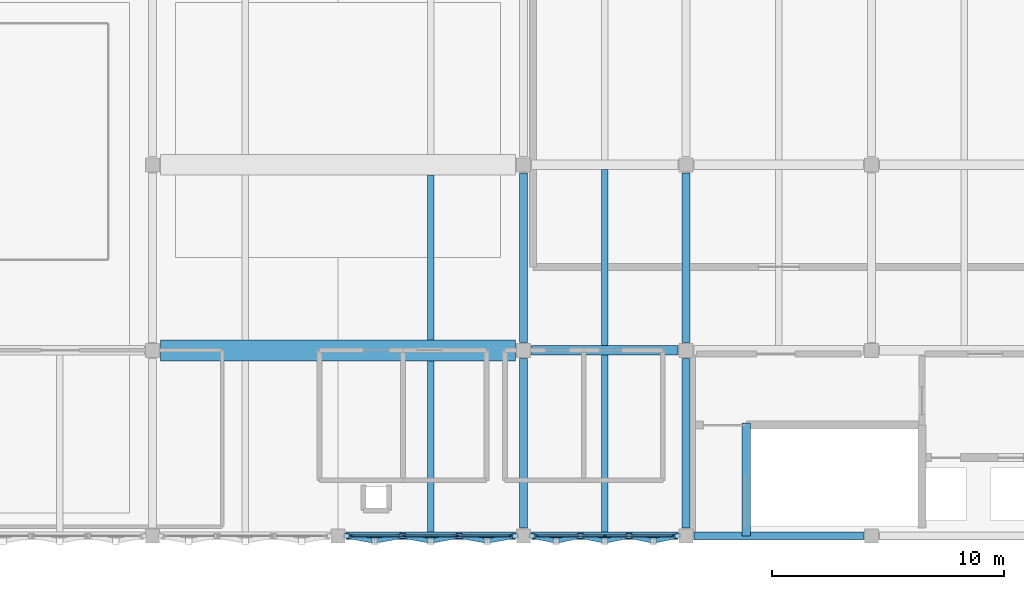
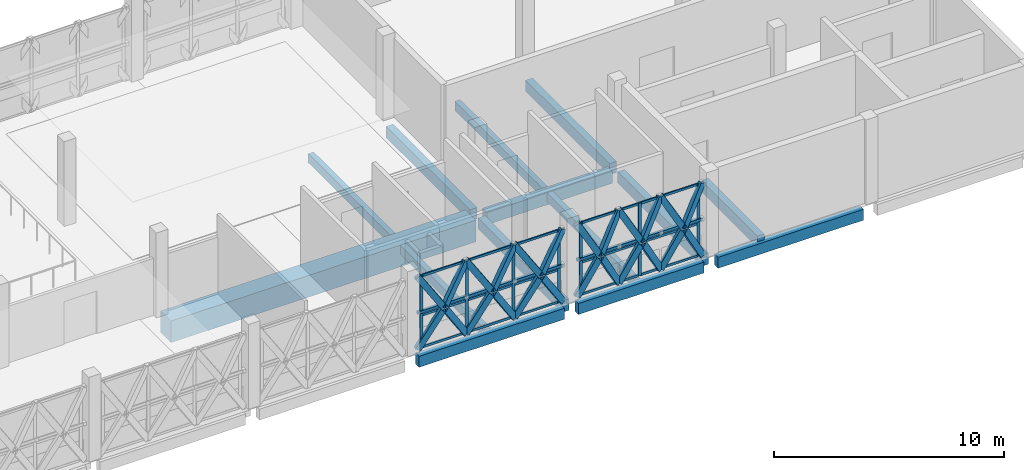
# One storey, part 15 of 43: 52 members, 14 beams, 2 elements without a shape of their own.
"""IFC4 building model written with IfcOpenShell, lengths in metres."""

from ifc_helpers import new_model, si_unit, direction, frame, origin, origin_2d, place, context, subcontext, project, spatial, rectangle, hollow_rectangle, extrude, material, layer, layer_set, material_profile, profile_set, type_object, element, aggregate, save


model = new_model("IFC4")

# Units and contexts
model_context = context("Model", 3, precision=1e-05, world=origin(), true_north=direction((0.0, 1.0)))
body_context = subcontext(model_context, "Body", "Model", "MODEL_VIEW")
ifc_project = project(units=[si_unit("LENGTHUNIT", "METRE"), si_unit("AREAUNIT", "SQUARE_METRE"), si_unit("VOLUMEUNIT", "CUBIC_METRE"), si_unit("PLANEANGLEUNIT", "RADIAN"), si_unit("MASSUNIT", "GRAM", prefix="KILO")], contexts=[model_context])

# Site, building, storey
site_placement = place(None, origin())
site = spatial("IfcSite", under=ifc_project, at=site_placement, CompositionType="ELEMENT")
building_placement = place(site_placement, origin())
building = spatial("IfcBuilding", under=site, at=building_placement, Name="Qorikala Patio Media Centre", CompositionType="ELEMENT")
storey_placement = place(building_placement, frame((0.0, 0.0, 18.89990234375)))
storey = spatial("IfcBuildingStorey", under=building, at=storey_placement, Name="L04", CompositionType="ELEMENT", Elevation=18.89990234375)

# Beams
ifc_material_1 = material(Name="Concrete C35/45", Category="concrete")
ifc_material_profile_1 = material_profile(ifc_material_1, rectangle(XDim=0.35009765625, YDim=0.60009765625, at=origin_2d()), Name="RC 350x600")
ifc_profile_set_1 = profile_set([ifc_material_profile_1], Name="Concrete C35/45")
beam_type_1 = type_object("IfcBeamType", Name="BM-G350X600", PredefinedType="BEAM", material=ifc_profile_set_1)
for number, where, z_axis, x_axis, name in (
    (1, (75.0, 3.35009765625, -0.599853515625), (0.0, 1.0, 0.0), (-1.0, 0.0, 0.0), "L04 Grid X=75 Beam 1432"),
    (2, (75.0, 11.35009765625, -0.599853515625), (0.0, 1.0, 0.0), (-1.0, 0.0, 0.0), "L04 Grid X=75 Beam 1433"),
    (3, (82.0, 3.35009765625, -0.599853515625), (0.0, 1.0, 0.0), (-1.0, 0.0, 0.0), "L04 Grid X=82 Beam 1435"),
    (4, (82.0, 11.35009765625, -0.599853515625), (0.0, 1.0, 0.0), (-1.0, 0.0, 0.0), "L04 Grid X=82 Beam 1436"),
):
    element("IfcBeam", number, at=place(storey_placement, frame(where, z_axis=z_axis, x_axis=x_axis)), inside=storey, type_object=beam_type_1, Name=name, PredefinedType="BEAM", context=body_context, shape_type="SweptSolid", body=[
        extrude(rectangle(XDim=0.35009765625, YDim=0.60009765625, at=origin_2d()), origin(), (0.0, 0.0, 1.0), 7.2998046875),
    ])
beam_1_placement = place(storey_placement, frame((84.60009765625, 3.0, -0.2998046875), z_axis=(0.0, 1.0, 0.0), x_axis=(-1.0, 0.0, 0.0)))
element("IfcBeam", 5, at=beam_1_placement, inside=storey, type_object=beam_type_1, Name="L04 ST-4 Well Trimmer Beam", PredefinedType="BEAM", context=body_context, shape_type="SweptSolid", body=[
    extrude(rectangle(XDim=0.35009765625, YDim=0.60009765625, at=origin_2d()), origin(), (0.0, 0.0, 1.0), 4.8798828125),
])
ifc_material_profile_2 = material_profile(ifc_material_1, rectangle(XDim=0.39990234375, YDim=0.64990234375, at=origin_2d()), Name="RC 400x650")
ifc_profile_set_2 = profile_set([ifc_material_profile_2], Name="Concrete C35/45")
beam_type_2 = type_object("IfcBeamType", Name="BM-G400X650", PredefinedType="BEAM", material=ifc_profile_set_2)
beam_2_placement = place(storey_placement, frame((75.35009765625, 11.0, -0.625), z_axis=(1.0, 0.0, 0.0), x_axis=(0.0, 1.0, 0.0)))
element("IfcBeam", 6, at=beam_2_placement, inside=storey, type_object=beam_type_2, Name="L04 Grid 11 Beam 1338", PredefinedType="BEAM", context=body_context, shape_type="SweptSolid", body=[
    extrude(rectangle(XDim=0.39990234375, YDim=0.64990234375, at=origin_2d()), origin(), (0.0, 0.0, 1.0), 6.2998046875),
])
ifc_material_profile_3 = material_profile(ifc_material_1, rectangle(XDim=0.89990234375, YDim=1.14990234375, at=origin_2d()), Name="RC 900x1150")
ifc_profile_set_3 = profile_set([ifc_material_profile_3], Name="Concrete C35/45")
beam_type_3 = type_object("IfcBeamType", Name="BM-TR900X1150", PredefinedType="BEAM", material=ifc_profile_set_3)
beam_3_placement = place(storey_placement, frame((59.35009765625, 11.0, -0.875), z_axis=(1.0, 0.0, 0.0), x_axis=(0.0, 1.0, 0.0)))
element("IfcBeam", 7, at=beam_3_placement, inside=storey, type_object=beam_type_3, Name="L04 Grid 11 Beam 1337", PredefinedType="BEAM", context=body_context, shape_type="SweptSolid", body=[
    extrude(rectangle(XDim=0.89990234375, YDim=1.14990234375, at=origin_2d()), origin(), (0.0, 0.0, 1.0), 15.2998046875),
])

# Members
ifc_material_2 = material(Name="Golden Bronze Coated Steel S355", Category="steel")
ifc_material_profile_4 = material_profile(ifc_material_2, hollow_rectangle(XDim=0.139892578125, YDim=0.139892578125, WallThickness=0.006103515625, at=origin_2d()), Name="HSS140X140X6")
ifc_profile_set_4 = profile_set([ifc_material_profile_4], Name="Golden Bronze Coated Steel S355")
member_type_1 = type_object("IfcMemberType", Name="BRACE-DIA140", PredefinedType="BRACE", material=ifc_profile_set_4)
for number, where, z_axis, x_axis, name in (
    (8, (81.639892578125, 3.0, 1.925048828125), (-1.0, 0.0, 0.0), (0.0, -1.0, 0.0), "L04 Diamond Fold Tie 127"),
    (9, (79.546630859375, 3.0, 1.925048828125), (-1.0, 0.0, 0.0), (0.0, -1.0, 0.0), "L04 Diamond Fold Tie 128"),
    (10, (77.453369140625, 3.0, 1.925048828125), (-1.0, 0.0, 0.0), (0.0, -1.0, 0.0), "L04 Diamond Fold Tie 129"),
):
    element("IfcMember", number, at=place(storey_placement, frame(where, z_axis=z_axis, x_axis=x_axis)), inside=storey, type_object=member_type_1, Name=name, PredefinedType="BRACE", context=body_context, shape_type="SweptSolid", body=[
        extrude(hollow_rectangle(XDim=0.139892578125, YDim=0.139892578125, WallThickness=0.006103515625, at=origin_2d()), origin(), (0.0, 0.0, 1.0), 2.09326171875),
    ])
member_1_placement = place(storey_placement, frame((74.639892578125, 3.0, 1.925048828125), z_axis=(-1.0, 0.0, 0.0), x_axis=(0.0, -1.0, 0.0)))
element("IfcMember", 11, at=member_1_placement, inside=storey, type_object=member_type_1, Name="L04 Diamond Fold Tie 130", PredefinedType="BRACE", context=body_context, shape_type="SweptSolid", body=[
    extrude(hollow_rectangle(XDim=0.139892578125, YDim=0.139892578125, WallThickness=0.006103515625, at=origin_2d()), origin(), (0.0, 0.0, 1.0), 2.426513671875),
])
member_2_placement = place(storey_placement, frame((72.21337890625, 3.0, 1.925048828125), z_axis=(-1.0, 0.0, 0.0), x_axis=(0.0, -1.0, 0.0)))
element("IfcMember", 12, at=member_2_placement, inside=storey, type_object=member_type_1, Name="L04 Diamond Fold Tie 131", PredefinedType="BRACE", context=body_context, shape_type="SweptSolid", body=[
    extrude(hollow_rectangle(XDim=0.139892578125, YDim=0.139892578125, WallThickness=0.006103515625, at=origin_2d()), origin(), (0.0, 0.0, 1.0), 2.4267578125),
])
member_3_placement = place(storey_placement, frame((69.78662109375, 3.0, 1.925048828125), z_axis=(-1.0, 0.0, 0.0), x_axis=(0.0, -1.0, 0.0)))
element("IfcMember", 13, at=member_3_placement, inside=storey, type_object=member_type_1, Name="L04 Diamond Fold Tie 132", PredefinedType="BRACE", context=body_context, shape_type="SweptSolid", body=[
    extrude(hollow_rectangle(XDim=0.139892578125, YDim=0.139892578125, WallThickness=0.006103515625, at=origin_2d()), origin(), (0.0, 0.0, 1.0), 2.426513671875),
])

# Curtain wall, members
ifc_material_3 = material(Name="Golden Bronze Anodised Aluminium and Low-E Glass", Category="aluminium")
ifc_layer_1 = layer(ifc_material_3, 0.159912109375)
ifc_layer_set_1 = layer_set([ifc_layer_1], Name="Golden Bronze Anodised Aluminium and Low-E Glass")
curtain_wall_type_1 = type_object("IfcCurtainWallType", Name="CW-DIA-596X385", PredefinedType="USERDEFINED", material=ifc_layer_set_1)
curtain_wall_1_placement = place(storey_placement, origin())
curtain_wall_1 = element("IfcCurtainWall", 14, at=curtain_wall_1_placement, inside=storey, type_object=curtain_wall_type_1, Name="L04 Courtyard Curtain Wall 084", ObjectType="COURTYARD CURTAIN WALL", PredefinedType="USERDEFINED")
ifc_material_4 = material(Name="Golden Bronze Anodised Aluminium", Category="aluminium")
ifc_material_profile_5 = material_profile(ifc_material_4, rectangle(XDim=0.06494140625, YDim=0.14990234375, at=origin_2d()), Name="ALU MULLION 65x150")
ifc_profile_set_5 = profile_set([ifc_material_profile_5], Name="Golden Bronze Anodised Aluminium")
member_type_2 = type_object("IfcMemberType", Name="CWM-65X150", PredefinedType="MULLION", material=ifc_profile_set_5)
member_4_placement = place(storey_placement, frame((81.447509765625, 3.0, 0.0), z_axis=(0.0, 0.0, 1.0), x_axis=(0.0, -1.0, 0.0)))
member_4 = element("IfcMember", 15, at=member_4_placement, type_object=member_type_2, Name="CWD596385 mullion 1", PredefinedType="MULLION", context=body_context, shape_type="SweptSolid", body=[
    extrude(rectangle(XDim=0.06494140625, YDim=0.14990234375, at=origin_2d()), origin(), (0.0, 0.0, 1.0), 3.85009765625),
])
member_5_placement = place(storey_placement, frame((78.5, 3.0, 0.0), z_axis=(0.0, 0.0, 1.0), x_axis=(0.0, -1.0, 0.0)))
member_5 = element("IfcMember", 16, at=member_5_placement, type_object=member_type_2, Name="CWD596385 mullion 2", PredefinedType="MULLION", context=body_context, shape_type="SweptSolid", body=[
    extrude(rectangle(XDim=0.06494140625, YDim=0.14990234375, at=origin_2d()), origin(), (0.0, 0.0, 1.0), 3.85009765625),
])
member_6_placement = place(storey_placement, frame((75.552490234375, 3.0, 0.0), z_axis=(0.0, 0.0, 1.0), x_axis=(0.0, -1.0, 0.0)))
member_6 = element("IfcMember", 17, at=member_6_placement, type_object=member_type_2, Name="CWD596385 mullion 3", PredefinedType="MULLION", context=body_context, shape_type="SweptSolid", body=[
    extrude(rectangle(XDim=0.06494140625, YDim=0.14990234375, at=origin_2d()), origin(), (0.0, 0.0, 1.0), 3.85009765625),
])

ifc_layer_2 = layer(ifc_material_3, 0.159912109375)
ifc_layer_set_2 = layer_set([ifc_layer_2], Name="Golden Bronze Anodised Aluminium and Low-E Glass")
curtain_wall_type_2 = type_object("IfcCurtainWallType", Name="CW-DIA-696X385", PredefinedType="USERDEFINED", material=ifc_layer_set_2)
curtain_wall_2_placement = place(storey_placement, origin())
curtain_wall_2 = element("IfcCurtainWall", 18, at=curtain_wall_2_placement, inside=storey, type_object=curtain_wall_type_2, Name="L04 Courtyard Curtain Wall 085", ObjectType="COURTYARD CURTAIN WALL", PredefinedType="USERDEFINED")
member_7_placement = place(storey_placement, frame((74.447509765625, 3.0, 0.0), z_axis=(0.0, 0.0, 1.0), x_axis=(0.0, -1.0, 0.0)))
member_7 = element("IfcMember", 19, at=member_7_placement, type_object=member_type_2, Name="CWD696385 mullion 1", PredefinedType="MULLION", context=body_context, shape_type="SweptSolid", body=[
    extrude(rectangle(XDim=0.06494140625, YDim=0.14990234375, at=origin_2d()), origin(), (0.0, 0.0, 1.0), 3.85009765625),
])
member_8_placement = place(storey_placement, frame((72.159912109375, 3.0, 0.0), z_axis=(0.0, 0.0, 1.0), x_axis=(0.0, -1.0, 0.0)))
member_8 = element("IfcMember", 20, at=member_8_placement, type_object=member_type_2, Name="CWD696385 mullion 2", PredefinedType="MULLION", context=body_context, shape_type="SweptSolid", body=[
    extrude(rectangle(XDim=0.06494140625, YDim=0.14990234375, at=origin_2d()), origin(), (0.0, 0.0, 1.0), 3.85009765625),
])
member_9_placement = place(storey_placement, frame((69.840087890625, 3.0, 0.0), z_axis=(0.0, 0.0, 1.0), x_axis=(0.0, -1.0, 0.0)))
member_9 = element("IfcMember", 21, at=member_9_placement, type_object=member_type_2, Name="CWD696385 mullion 3", PredefinedType="MULLION", context=body_context, shape_type="SweptSolid", body=[
    extrude(rectangle(XDim=0.06494140625, YDim=0.14990234375, at=origin_2d()), origin(), (0.0, 0.0, 1.0), 3.85009765625),
])
member_10_placement = place(storey_placement, frame((67.552490234375, 3.0, 0.0), z_axis=(0.0, 0.0, 1.0), x_axis=(0.0, -1.0, 0.0)))
member_10 = element("IfcMember", 22, at=member_10_placement, type_object=member_type_2, Name="CWD696385 mullion 4", PredefinedType="MULLION", context=body_context, shape_type="SweptSolid", body=[
    extrude(rectangle(XDim=0.06494140625, YDim=0.14990234375, at=origin_2d()), origin(), (0.0, 0.0, 1.0), 3.85009765625),
])

# Member
ifc_material_profile_6 = material_profile(ifc_material_4, rectangle(XDim=0.06494140625, YDim=0.1201171875, at=origin_2d()), Name="ALU TRANSOM 65x120")
ifc_profile_set_6 = profile_set([ifc_material_profile_6], Name="Golden Bronze Anodised Aluminium")
member_type_3 = type_object("IfcMemberType", Name="CWT-65X120", PredefinedType="USERDEFINED", material=ifc_profile_set_6)
member_11_placement = place(storey_placement, frame((81.4150390625, 3.0, 0.03271484375), z_axis=(-1.0, 0.0, 0.0), x_axis=(0.0, -1.0, 0.0)))
member_11 = element("IfcMember", 23, at=member_11_placement, type_object=member_type_3, Name="CWD596385 transom 1.1", ObjectType="TRANSOM", PredefinedType="USERDEFINED", context=body_context, shape_type="SweptSolid", body=[
    extrude(rectangle(XDim=0.06494140625, YDim=0.1201171875, at=origin_2d()), origin(), (0.0, 0.0, 1.0), 2.882568359375),
])

member_12_placement = place(storey_placement, frame((81.4150390625, 3.0, 1.732666015625), z_axis=(-1.0, 0.0, 0.0), x_axis=(0.0, -1.0, 0.0)))
member_12 = element("IfcMember", 24, at=member_12_placement, type_object=member_type_3, Name="CWD596385 transom 1.2", ObjectType="TRANSOM", PredefinedType="USERDEFINED", context=body_context, shape_type="SweptSolid", body=[
    extrude(rectangle(XDim=0.06494140625, YDim=0.1201171875, at=origin_2d()), origin(), (0.0, 0.0, 1.0), 2.882568359375),
])

member_13_placement = place(storey_placement, frame((81.4150390625, 3.0, 3.817626953125), z_axis=(-1.0, 0.0, 0.0), x_axis=(0.0, -1.0, 0.0)))
member_13 = element("IfcMember", 25, at=member_13_placement, type_object=member_type_3, Name="CWD596385 transom 1.3", ObjectType="TRANSOM", PredefinedType="USERDEFINED", context=body_context, shape_type="SweptSolid", body=[
    extrude(rectangle(XDim=0.06494140625, YDim=0.1201171875, at=origin_2d()), origin(), (0.0, 0.0, 1.0), 2.882568359375),
])

member_14_placement = place(storey_placement, frame((78.467529296875, 3.0, 0.03271484375), z_axis=(-1.0, 0.0, 0.0), x_axis=(0.0, -1.0, 0.0)))
member_14 = element("IfcMember", 26, at=member_14_placement, type_object=member_type_3, Name="CWD596385 transom 2.1", ObjectType="TRANSOM", PredefinedType="USERDEFINED", context=body_context, shape_type="SweptSolid", body=[
    extrude(rectangle(XDim=0.06494140625, YDim=0.1201171875, at=origin_2d()), origin(), (0.0, 0.0, 1.0), 2.882568359375),
])

member_15_placement = place(storey_placement, frame((78.467529296875, 3.0, 1.732666015625), z_axis=(-1.0, 0.0, 0.0), x_axis=(0.0, -1.0, 0.0)))
member_15 = element("IfcMember", 27, at=member_15_placement, type_object=member_type_3, Name="CWD596385 transom 2.2", ObjectType="TRANSOM", PredefinedType="USERDEFINED", context=body_context, shape_type="SweptSolid", body=[
    extrude(rectangle(XDim=0.06494140625, YDim=0.1201171875, at=origin_2d()), origin(), (0.0, 0.0, 1.0), 2.882568359375),
])

member_16_placement = place(storey_placement, frame((78.467529296875, 3.0, 3.817626953125), z_axis=(-1.0, 0.0, 0.0), x_axis=(0.0, -1.0, 0.0)))
member_16 = element("IfcMember", 28, at=member_16_placement, type_object=member_type_3, Name="CWD596385 transom 2.3", ObjectType="TRANSOM", PredefinedType="USERDEFINED", context=body_context, shape_type="SweptSolid", body=[
    extrude(rectangle(XDim=0.06494140625, YDim=0.1201171875, at=origin_2d()), origin(), (0.0, 0.0, 1.0), 2.882568359375),
])

aggregate(curtain_wall_1, [member_4, member_5, member_6, member_11, member_12, member_13, member_14, member_15, member_16])

member_17_placement = place(storey_placement, frame((74.4150390625, 3.0, 0.03271484375), z_axis=(-1.0, 0.0, 0.0), x_axis=(0.0, -1.0, 0.0)))
member_17 = element("IfcMember", 29, at=member_17_placement, type_object=member_type_3, Name="CWD696385 transom 1.1", ObjectType="TRANSOM", PredefinedType="USERDEFINED", context=body_context, shape_type="SweptSolid", body=[
    extrude(rectangle(XDim=0.06494140625, YDim=0.1201171875, at=origin_2d()), origin(), (0.0, 0.0, 1.0), 2.22265625),
])

member_18_placement = place(storey_placement, frame((74.4150390625, 3.0, 1.732666015625), z_axis=(-1.0, 0.0, 0.0), x_axis=(0.0, -1.0, 0.0)))
member_18 = element("IfcMember", 30, at=member_18_placement, type_object=member_type_3, Name="CWD696385 transom 1.2", ObjectType="TRANSOM", PredefinedType="USERDEFINED", context=body_context, shape_type="SweptSolid", body=[
    extrude(rectangle(XDim=0.06494140625, YDim=0.1201171875, at=origin_2d()), origin(), (0.0, 0.0, 1.0), 2.22265625),
])

member_19_placement = place(storey_placement, frame((74.4150390625, 3.0, 3.817626953125), z_axis=(-1.0, 0.0, 0.0), x_axis=(0.0, -1.0, 0.0)))
member_19 = element("IfcMember", 31, at=member_19_placement, type_object=member_type_3, Name="CWD696385 transom 1.3", ObjectType="TRANSOM", PredefinedType="USERDEFINED", context=body_context, shape_type="SweptSolid", body=[
    extrude(rectangle(XDim=0.06494140625, YDim=0.1201171875, at=origin_2d()), origin(), (0.0, 0.0, 1.0), 2.22265625),
])

member_20_placement = place(storey_placement, frame((72.12744140625, 3.0, 0.03271484375), z_axis=(-1.0, 0.0, 0.0), x_axis=(0.0, -1.0, 0.0)))
member_20 = element("IfcMember", 32, at=member_20_placement, type_object=member_type_3, Name="CWD696385 transom 2.1", ObjectType="TRANSOM", PredefinedType="USERDEFINED", context=body_context, shape_type="SweptSolid", body=[
    extrude(rectangle(XDim=0.06494140625, YDim=0.1201171875, at=origin_2d()), origin(), (0.0, 0.0, 1.0), 2.2548828125),
])

member_21_placement = place(storey_placement, frame((72.12744140625, 3.0, 1.732666015625), z_axis=(-1.0, 0.0, 0.0), x_axis=(0.0, -1.0, 0.0)))
member_21 = element("IfcMember", 33, at=member_21_placement, type_object=member_type_3, Name="CWD696385 transom 2.2", ObjectType="TRANSOM", PredefinedType="USERDEFINED", context=body_context, shape_type="SweptSolid", body=[
    extrude(rectangle(XDim=0.06494140625, YDim=0.1201171875, at=origin_2d()), origin(), (0.0, 0.0, 1.0), 2.2548828125),
])

member_22_placement = place(storey_placement, frame((72.12744140625, 3.0, 3.817626953125), z_axis=(-1.0, 0.0, 0.0), x_axis=(0.0, -1.0, 0.0)))
member_22 = element("IfcMember", 34, at=member_22_placement, type_object=member_type_3, Name="CWD696385 transom 2.3", ObjectType="TRANSOM", PredefinedType="USERDEFINED", context=body_context, shape_type="SweptSolid", body=[
    extrude(rectangle(XDim=0.06494140625, YDim=0.1201171875, at=origin_2d()), origin(), (0.0, 0.0, 1.0), 2.2548828125),
])

member_23_placement = place(storey_placement, frame((69.8076171875, 3.0, 0.03271484375), z_axis=(-1.0, 0.0, 0.0), x_axis=(0.0, -1.0, 0.0)))
member_23 = element("IfcMember", 35, at=member_23_placement, type_object=member_type_3, Name="CWD696385 transom 3.1", ObjectType="TRANSOM", PredefinedType="USERDEFINED", context=body_context, shape_type="SweptSolid", body=[
    extrude(rectangle(XDim=0.06494140625, YDim=0.1201171875, at=origin_2d()), origin(), (0.0, 0.0, 1.0), 2.22265625),
])

member_24_placement = place(storey_placement, frame((69.8076171875, 3.0, 1.732666015625), z_axis=(-1.0, 0.0, 0.0), x_axis=(0.0, -1.0, 0.0)))
member_24 = element("IfcMember", 36, at=member_24_placement, type_object=member_type_3, Name="CWD696385 transom 3.2", ObjectType="TRANSOM", PredefinedType="USERDEFINED", context=body_context, shape_type="SweptSolid", body=[
    extrude(rectangle(XDim=0.06494140625, YDim=0.1201171875, at=origin_2d()), origin(), (0.0, 0.0, 1.0), 2.22265625),
])

member_25_placement = place(storey_placement, frame((69.8076171875, 3.0, 3.817626953125), z_axis=(-1.0, 0.0, 0.0), x_axis=(0.0, -1.0, 0.0)))
member_25 = element("IfcMember", 37, at=member_25_placement, type_object=member_type_3, Name="CWD696385 transom 3.3", ObjectType="TRANSOM", PredefinedType="USERDEFINED", context=body_context, shape_type="SweptSolid", body=[
    extrude(rectangle(XDim=0.06494140625, YDim=0.1201171875, at=origin_2d()), origin(), (0.0, 0.0, 1.0), 2.22265625),
])

aggregate(curtain_wall_2, [member_7, member_8, member_9, member_10, member_17, member_18, member_19, member_20, member_21, member_22, member_23, member_24, member_25])

# Beams
ifc_material_profile_7 = material_profile(ifc_material_1, rectangle(XDim=0.280029296875, YDim=0.47998046875, at=origin_2d()), Name="RC 280x480")
ifc_profile_set_7 = profile_set([ifc_material_profile_7], Name="Concrete C35/45")
beam_type_4 = type_object("IfcBeamType", Name="JS-280X480", PredefinedType="JOIST", material=ifc_profile_set_7)
beam_4_placement = place(storey_placement, frame((71.0, 3.159912109375, -0.539794921875), z_axis=(0.0, 1.0, 0.0), x_axis=(-1.0, 0.0, 0.0)))
element("IfcBeam", 38, at=beam_4_placement, inside=storey, type_object=beam_type_4, Name="L04 Secondary Joist 1476", PredefinedType="JOIST", context=body_context, shape_type="SweptSolid", body=[
    extrude(rectangle(XDim=0.280029296875, YDim=0.47998046875, at=origin_2d()), origin(), (0.0, 0.0, 1.0), 7.39013671875),
])
beam_5_placement = place(storey_placement, frame((71.0, 11.449951171875, -0.539794921875), z_axis=(0.0, 1.0, 0.0), x_axis=(-1.0, 0.0, 0.0)))
element("IfcBeam", 39, at=beam_5_placement, inside=storey, type_object=beam_type_4, Name="L04 Secondary Joist 1477", PredefinedType="JOIST", context=body_context, shape_type="SweptSolid", body=[
    extrude(rectangle(XDim=0.280029296875, YDim=0.47998046875, at=origin_2d()), origin(), (0.0, 0.0, 1.0), 7.10009765625),
])
beam_6_placement = place(storey_placement, frame((78.5, 3.159912109375, -0.539794921875), z_axis=(0.0, 1.0, 0.0), x_axis=(-1.0, 0.0, 0.0)))
element("IfcBeam", 40, at=beam_6_placement, inside=storey, type_object=beam_type_4, Name="L04 Secondary Joist 1479", PredefinedType="JOIST", context=body_context, shape_type="SweptSolid", body=[
    extrude(rectangle(XDim=0.280029296875, YDim=0.47998046875, at=origin_2d()), origin(), (0.0, 0.0, 1.0), 7.64013671875),
])
beam_7_placement = place(storey_placement, frame((78.5, 11.199951171875, -0.539794921875), z_axis=(0.0, 1.0, 0.0), x_axis=(-1.0, 0.0, 0.0)))
element("IfcBeam", 41, at=beam_7_placement, inside=storey, type_object=beam_type_4, Name="L04 Secondary Joist 1480", PredefinedType="JOIST", context=body_context, shape_type="SweptSolid", body=[
    extrude(rectangle(XDim=0.280029296875, YDim=0.47998046875, at=origin_2d()), origin(), (0.0, 0.0, 1.0), 7.60009765625),
])
ifc_material_profile_8 = material_profile(ifc_material_1, rectangle(XDim=0.320068359375, YDim=0.580078125, at=origin_2d()), Name="RC 320x580")
ifc_profile_set_8 = profile_set([ifc_material_profile_8], Name="Concrete C35/45")
beam_type_5 = type_object("IfcBeamType", Name="SP-320X580", PredefinedType="SPANDREL", material=ifc_profile_set_8)
beam_8_placement = place(storey_placement, frame((67.35009765625, 3.0, -0.58984375), z_axis=(1.0, 0.0, 0.0), x_axis=(0.0, 1.0, 0.0)))
element("IfcBeam", 42, at=beam_8_placement, inside=storey, type_object=beam_type_5, Name="L04 Grid 3 Beam 1326", PredefinedType="SPANDREL", context=body_context, shape_type="SweptSolid", body=[
    extrude(rectangle(XDim=0.320068359375, YDim=0.580078125, at=origin_2d()), origin(), (0.0, 0.0, 1.0), 7.2998046875),
])
beam_9_placement = place(storey_placement, frame((75.35009765625, 3.0, -0.58984375), z_axis=(1.0, 0.0, 0.0), x_axis=(0.0, 1.0, 0.0)))
element("IfcBeam", 43, at=beam_9_placement, inside=storey, type_object=beam_type_5, Name="L04 Grid 3 Beam 1327", PredefinedType="SPANDREL", context=body_context, shape_type="SweptSolid", body=[
    extrude(rectangle(XDim=0.320068359375, YDim=0.580078125, at=origin_2d()), origin(), (0.0, 0.0, 1.0), 6.2998046875),
])
beam_10_placement = place(storey_placement, frame((82.35009765625, 3.0, -0.58984375), z_axis=(1.0, 0.0, 0.0), x_axis=(0.0, 1.0, 0.0)))
element("IfcBeam", 44, at=beam_10_placement, inside=storey, type_object=beam_type_5, Name="L04 Grid 3 Beam 1328", PredefinedType="SPANDREL", context=body_context, shape_type="SweptSolid", body=[
    extrude(rectangle(XDim=0.320068359375, YDim=0.580078125, at=origin_2d()), origin(), (0.0, 0.0, 1.0), 7.2998046875),
])

# Members
ifc_material_profile_9 = material_profile(ifc_material_2, hollow_rectangle(XDim=0.199951171875, YDim=0.300048828125, WallThickness=0.011962890625, at=origin_2d()), Name="HSS300X200X12")
ifc_profile_set_9 = profile_set([ifc_material_profile_9], Name="Golden Bronze Coated Steel S355")
member_type_4 = type_object("IfcMemberType", Name="STRUT-DIA300", PredefinedType="STRUT", material=ifc_profile_set_9)
for number, where, z_axis, x_axis, name in (
    (45, (81.639892578125, 3.0, 0.0), (-0.475284177813, -0.099558010654, 0.87418141872), (0.205020837962, -0.9787576084, 0.0), "L04 Diamond Foyer Fold Strut 127-DL1"),
    (46, (79.546630859375, 3.0, 0.0), (0.475284177813, -0.099558010654, 0.87418141872), (0.205020837962, 0.9787576084, 0.0), "L04 Diamond Foyer Fold Strut 127-DL2"),
    (47, (80.59326171875, 2.78076171875, 1.925048828125), (0.475284177813, 0.099558010654, 0.87418141872), (-0.205020837962, 0.9787576084, 0.0), "L04 Diamond Foyer Fold Strut 127-DU1"),
    (48, (80.59326171875, 2.78076171875, 1.925048828125), (-0.475284177813, 0.099558010654, 0.87418141872), (-0.205020837962, -0.9787576084, 0.0), "L04 Diamond Foyer Fold Strut 127-DU2"),
    (49, (79.546630859375, 3.0, 0.0), (-0.475284177813, -0.099558010654, 0.87418141872), (0.205020837962, -0.9787576084, 0.0), "L04 Diamond Foyer Fold Strut 128-DL1"),
    (50, (77.453369140625, 3.0, 0.0), (0.475284177813, -0.099558010654, 0.87418141872), (0.205020837962, 0.9787576084, 0.0), "L04 Diamond Foyer Fold Strut 128-DL2"),
    (51, (78.5, 2.78076171875, 1.925048828125), (0.475284177813, 0.099558010654, 0.87418141872), (-0.205020837962, 0.9787576084, 0.0), "L04 Diamond Foyer Fold Strut 128-DU1"),
    (52, (78.5, 2.78076171875, 1.925048828125), (-0.475284177813, 0.099558010654, 0.87418141872), (-0.205020837962, -0.9787576084, 0.0), "L04 Diamond Foyer Fold Strut 128-DU2"),
    (53, (77.453369140625, 3.0, 0.0), (-0.475284177813, -0.099558010654, 0.87418141872), (0.205020837962, -0.9787576084, 0.0), "L04 Diamond Foyer Fold Strut 129-DL1"),
    (54, (75.360107421875, 3.0, 0.0), (0.475284177813, -0.099558010654, 0.87418141872), (0.205020837962, 0.9787576084, 0.0), "L04 Diamond Foyer Fold Strut 129-DL2"),
    (55, (76.40673828125, 2.78076171875, 1.925048828125), (0.475284177813, 0.099558010654, 0.87418141872), (-0.205020837962, 0.9787576084, 0.0), "L04 Diamond Foyer Fold Strut 129-DU1"),
    (56, (76.40673828125, 2.78076171875, 1.925048828125), (-0.475284177813, 0.099558010654, 0.87418141872), (-0.205020837962, -0.9787576084, 0.0), "L04 Diamond Foyer Fold Strut 129-DU2"),
):
    element("IfcMember", number, at=place(storey_placement, frame(where, z_axis=z_axis, x_axis=x_axis)), inside=storey, type_object=member_type_4, Name=name, PredefinedType="STRUT", context=body_context, shape_type="SweptSolid", body=[
        extrude(hollow_rectangle(XDim=0.199951171875, YDim=0.300048828125, WallThickness=0.011962890625, at=origin_2d()), origin(), (0.0, 0.0, 1.0), 2.2021484375),
    ])
member_26_placement = place(storey_placement, frame((74.639892578125, 3.0, 0.0), z_axis=(-0.530691378365, -0.095906793675, 0.842121456713), x_axis=(0.17783968734, -0.984059472596, 0.0)))
element("IfcMember", 57, at=member_26_placement, inside=storey, type_object=member_type_4, Name="L04 Diamond Foyer Fold Strut 130-DL1", PredefinedType="STRUT", context=body_context, shape_type="SweptSolid", body=[
    extrude(hollow_rectangle(XDim=0.199951171875, YDim=0.300048828125, WallThickness=0.011962890625, at=origin_2d()), origin(), (0.0, 0.0, 1.0), 2.285888671875),
])
member_27_placement = place(storey_placement, frame((72.21337890625, 3.0, 0.0), z_axis=(0.530768093717, -0.095901357778, 0.842073726148), x_axis=(0.177805036072, 0.98406573416, 0.0)))
element("IfcMember", 58, at=member_27_placement, inside=storey, type_object=member_type_4, Name="L04 Diamond Foyer Fold Strut 130-DL2", PredefinedType="STRUT", context=body_context, shape_type="SweptSolid", body=[
    extrude(hollow_rectangle(XDim=0.199951171875, YDim=0.300048828125, WallThickness=0.011962890625, at=origin_2d()), origin(), (0.0, 0.0, 1.0), 2.2861328125),
])
member_28_placement = place(storey_placement, frame((73.4267578125, 2.78076171875, 1.925048828125), z_axis=(0.530691378365, 0.095906793675, 0.842121456713), x_axis=(-0.17783968734, 0.984059472596, 0.0)))
element("IfcMember", 59, at=member_28_placement, inside=storey, type_object=member_type_4, Name="L04 Diamond Foyer Fold Strut 130-DU1", PredefinedType="STRUT", context=body_context, shape_type="SweptSolid", body=[
    extrude(hollow_rectangle(XDim=0.199951171875, YDim=0.300048828125, WallThickness=0.011962890625, at=origin_2d()), origin(), (0.0, 0.0, 1.0), 2.285888671875),
])
for number, where, z_axis, x_axis, name in (
    (60, (73.4267578125, 2.78076171875, 1.925048828125), (-0.530768093717, 0.095901357778, 0.842073726148), (-0.177805036072, -0.98406573416, 0.0), "L04 Diamond Foyer Fold Strut 130-DU2"),
    (61, (72.21337890625, 3.0, 0.0), (-0.530768093717, -0.095901357778, 0.842073726148), (0.177805036072, -0.98406573416, 0.0), "L04 Diamond Foyer Fold Strut 131-DL1"),
    (62, (69.78662109375, 3.0, 0.0), (0.530768093717, -0.095901357778, 0.842073726148), (0.177805036072, 0.98406573416, 0.0), "L04 Diamond Foyer Fold Strut 131-DL2"),
    (63, (71.0, 2.78076171875, 1.925048828125), (0.530768093717, 0.095901357778, 0.842073726148), (-0.177805036072, 0.98406573416, 0.0), "L04 Diamond Foyer Fold Strut 131-DU1"),
    (64, (71.0, 2.78076171875, 1.925048828125), (-0.530768093717, 0.095901357778, 0.842073726148), (-0.177805036072, -0.98406573416, 0.0), "L04 Diamond Foyer Fold Strut 131-DU2"),
    (65, (69.78662109375, 3.0, 0.0), (-0.530768093717, -0.095901357778, 0.842073726148), (0.177805036072, -0.98406573416, 0.0), "L04 Diamond Foyer Fold Strut 132-DL1"),
):
    element("IfcMember", number, at=place(storey_placement, frame(where, z_axis=z_axis, x_axis=x_axis)), inside=storey, type_object=member_type_4, Name=name, PredefinedType="STRUT", context=body_context, shape_type="SweptSolid", body=[
        extrude(hollow_rectangle(XDim=0.199951171875, YDim=0.300048828125, WallThickness=0.011962890625, at=origin_2d()), origin(), (0.0, 0.0, 1.0), 2.2861328125),
    ])
member_29_placement = place(storey_placement, frame((67.360107421875, 3.0, 0.0), z_axis=(0.530691378365, -0.095906793675, 0.842121456713), x_axis=(0.17783968734, 0.984059472596, 0.0)))
element("IfcMember", 66, at=member_29_placement, inside=storey, type_object=member_type_4, Name="L04 Diamond Foyer Fold Strut 132-DL2", PredefinedType="STRUT", context=body_context, shape_type="SweptSolid", body=[
    extrude(hollow_rectangle(XDim=0.199951171875, YDim=0.300048828125, WallThickness=0.011962890625, at=origin_2d()), origin(), (0.0, 0.0, 1.0), 2.285888671875),
])
member_30_placement = place(storey_placement, frame((68.5732421875, 2.78076171875, 1.925048828125), z_axis=(0.530768093717, 0.095901357778, 0.842073726148), x_axis=(-0.177805036072, 0.98406573416, 0.0)))
element("IfcMember", 67, at=member_30_placement, inside=storey, type_object=member_type_4, Name="L04 Diamond Foyer Fold Strut 132-DU1", PredefinedType="STRUT", context=body_context, shape_type="SweptSolid", body=[
    extrude(hollow_rectangle(XDim=0.199951171875, YDim=0.300048828125, WallThickness=0.011962890625, at=origin_2d()), origin(), (0.0, 0.0, 1.0), 2.2861328125),
])
member_31_placement = place(storey_placement, frame((68.5732421875, 2.78076171875, 1.925048828125), z_axis=(-0.530691378365, 0.095906793675, 0.842121456713), x_axis=(-0.17783968734, -0.984059472596, 0.0)))
element("IfcMember", 68, at=member_31_placement, inside=storey, type_object=member_type_4, Name="L04 Diamond Foyer Fold Strut 132-DU2", PredefinedType="STRUT", context=body_context, shape_type="SweptSolid", body=[
    extrude(hollow_rectangle(XDim=0.199951171875, YDim=0.300048828125, WallThickness=0.011962890625, at=origin_2d()), origin(), (0.0, 0.0, 1.0), 2.285888671875),
])

save(model, "model.ifc")
